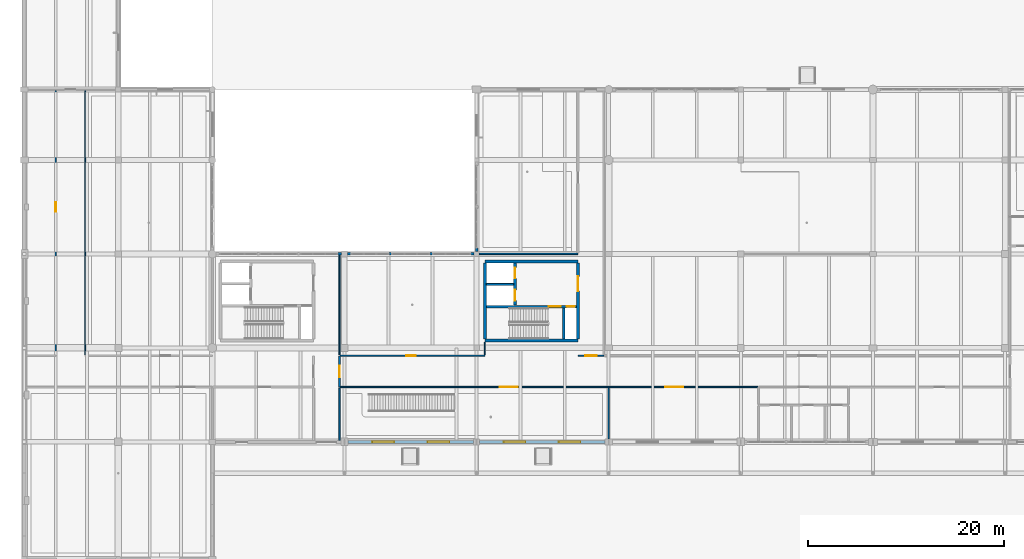
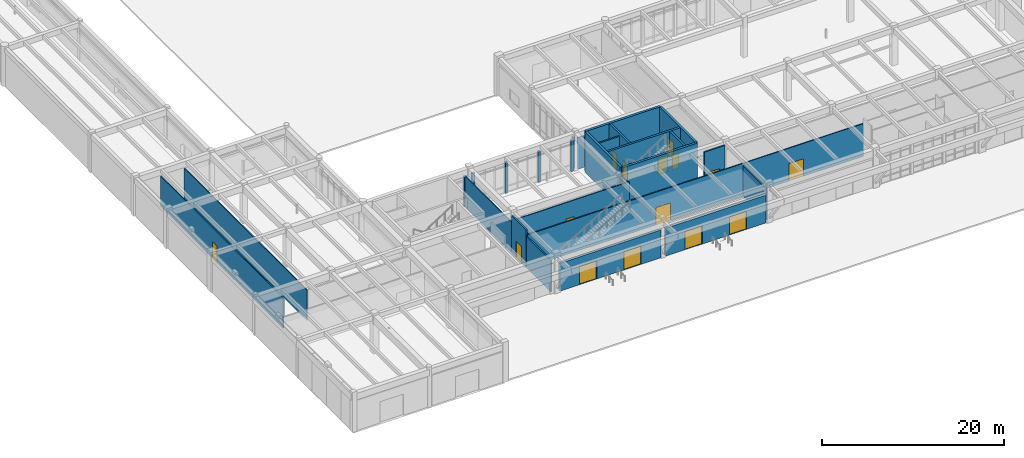
# One storey, part 108 of 138: 27 walls, 15 doors, 15 openings.
"""IFC4 building model written with IfcOpenShell, lengths in metres."""

from ifc_helpers import new_model, si_unit, direction, frame, frame_2d, origin, place, context, subcontext, project, spatial, rectangle, extrude, material, layer, layer_set, type_object, element, fill, save


model = new_model("IFC4")

# Units and contexts
model_context = context("Model", 3, precision=1e-05, world=origin(), true_north=direction((0.0, 1.0)))
body_context = subcontext(model_context, "Body", "Model", "MODEL_VIEW")
ifc_project = project(units=[si_unit("LENGTHUNIT", "METRE"), si_unit("AREAUNIT", "SQUARE_METRE"), si_unit("VOLUMEUNIT", "CUBIC_METRE"), si_unit("PLANEANGLEUNIT", "RADIAN"), si_unit("MASSUNIT", "GRAM", prefix="KILO")], contexts=[model_context])

# Site, building, storey
site_placement = place(None, origin())
site = spatial("IfcSite", under=ifc_project, at=site_placement, CompositionType="ELEMENT")
building_placement = place(site_placement, origin())
building = spatial("IfcBuilding", under=site, at=building_placement, Name="Fikremerkos Civic Library", CompositionType="ELEMENT")
storey_placement = place(building_placement, origin())
storey = spatial("IfcBuildingStorey", under=building, at=storey_placement, Name="L00", CompositionType="ELEMENT", Elevation=0.0)

# Walls
ifc_material_1 = material(Name="Concrete C40/50", Category="concrete")
ifc_layer_1 = layer(ifc_material_1, 0.300048828125, Name="Concrete C40/50")
ifc_layer_set_1 = layer_set([ifc_layer_1], Name="Concrete C40/50")
wall_type_1 = type_object("IfcWallType", Name="Core shear wall CSW-01 300", PredefinedType="SHEAR", material=ifc_layer_set_1)
for number, where, z_axis, x_axis, name in (
    (1, (56.550048828125, 22.35009765625, 0.0), (0.0, 0.0, 1.0), (-1.0, 0.0, 0.0), "Core K3 south shear wall L00"),
    (2, (47.050048828125, 30.449951171875, 0.0), (0.0, 0.0, 1.0), (1.0, 0.0, 0.0), "Core K3 north shear wall L00"),
):
    element("IfcWall", number, at=place(storey_placement, frame(where, z_axis=z_axis, x_axis=x_axis)), inside=storey, type_object=wall_type_1, Name=name, PredefinedType="SHEAR", context=body_context, shape_type="SweptSolid", body=[
        extrude(rectangle(XDim=9.5, YDim=0.300048828125, at=frame_2d((4.75, 0.0))), origin(), (0.0, 0.0, 1.0), 5.39990234375),
    ])
wall_1_placement = place(storey_placement, frame((47.050048828125, 22.501953125, 0.0), z_axis=(0.0, 0.0, 1.0), x_axis=(0.0, 1.0, 0.0)))
element("IfcWall", 3, at=wall_1_placement, inside=storey, type_object=wall_type_1, Name="Core K3 west shear wall L00", PredefinedType="SHEAR", context=body_context, shape_type="SweptSolid", body=[
    extrude(rectangle(XDim=7.796142578125, YDim=0.300048828125, at=frame_2d((3.89794921875, 0.0))), origin(), (0.0, 0.0, 1.0), 5.39990234375),
])

# Wall, opening, door
wall_2_placement = place(storey_placement, frame((56.550048828125, 30.298095703125, 0.0), z_axis=(0.0, 0.0, 1.0), x_axis=(0.0, -1.0, 0.0)))
wall_2 = element("IfcWall", 4, at=wall_2_placement, inside=storey, type_object=wall_type_1, Name="Core K3 east shear wall L00", PredefinedType="SHEAR", context=body_context, shape_type="SweptSolid", body=[
    extrude(rectangle(XDim=7.796142578125, YDim=0.300048828125, at=frame_2d((3.89794921875, 0.0))), origin(), (0.0, 0.0, 1.0), 5.39990234375),
])
opening_1_placement = place(wall_2_placement, frame((1.39794921875, 0.0, 0.0)))
opening_1 = element("IfcOpeningElement", 5, at=opening_1_placement, cuts=wall_2, Name="Opening D083", PredefinedType="OPENING", context=body_context, shape_type="SweptSolid", body=[
    extrude(rectangle(XDim=1.5, YDim=2.25, at=frame_2d((0.75, 1.125))), frame((0.0, 0.159912109375, 0.0), z_axis=(0.0, -1.0, 0.0), x_axis=(1.0, 0.0, 0.0)), (0.0, 0.0, 1.0), 0.320068359375),
])
ifc_material_2 = material(Name="Hardwood timber and acoustic glass", Category="wood")
door_type_1 = type_object("IfcDoorType", Name="Pedestrian door DT-05 1500x2250", OperationType="NOTDEFINED", PredefinedType="DOOR", material=ifc_material_2)
door_1_placement = place(opening_1_placement, origin())
door_1 = element("IfcDoor", 6, at=door_1_placement, inside=storey, type_object=door_type_1, Name="Core K3 lobby fire door D083 L00", OperationType="SINGLE_SWING_RIGHT", OverallHeight=2.25, OverallWidth=1.5, PredefinedType="DOOR", context=body_context, shape_type="SweptSolid", body=[
    extrude(rectangle(XDim=1.5, YDim=2.25, at=frame_2d((0.75, 1.125))), frame((0.0, 0.032470703125, 0.0), z_axis=(0.0, -1.0, 0.0), x_axis=(1.0, 0.0, 0.0)), (0.0, 0.0, 1.0), 0.06494140625),
])
fill(opening_1, door_1)

# Wall, openings, doors
ifc_layer_2 = layer(ifc_material_1, 0.260009765625, Name="Concrete C40/50")
ifc_layer_set_2 = layer_set([ifc_layer_2], Name="Concrete C40/50")
wall_type_2 = type_object("IfcWallType", Name="Core shear wall CSW-02 260", PredefinedType="SHEAR", material=ifc_layer_set_2)
wall_3_placement = place(storey_placement, frame((47.201904296875, 25.830078125, 0.0), z_axis=(0.0, 0.0, 1.0), x_axis=(1.0, 0.0, 0.0)))
wall_3 = element("IfcWall", 7, at=wall_3_placement, inside=storey, type_object=wall_type_2, Name="Core K3 stair compartment wall L00", PredefinedType="SHEAR", context=body_context, shape_type="SweptSolid", body=[
    extrude(rectangle(XDim=9.196044921875, YDim=0.260009765625, at=frame_2d((4.59814453125, 0.0))), origin(), (0.0, 0.0, 1.0), 5.39990234375),
])
opening_2_placement = place(wall_3_placement, frame((6.39794921875, 0.0, 0.0)))
opening_2 = element("IfcOpeningElement", 8, at=opening_2_placement, cuts=wall_3, Name="Opening D084", PredefinedType="OPENING", context=body_context, shape_type="SweptSolid", body=[
    extrude(rectangle(XDim=1.199951171875, YDim=2.199951171875, at=frame_2d((0.60009765625, 1.10009765625))), frame((0.0, 0.139892578125, 0.0), z_axis=(0.0, -1.0, 0.0), x_axis=(1.0, 0.0, 0.0)), (0.0, 0.0, 1.0), 0.280029296875),
])
opening_3_placement = place(wall_3_placement, frame((8.202880859375, 0.0, 0.0)))
opening_3 = element("IfcOpeningElement", 9, at=opening_3_placement, cuts=wall_3, Name="Opening D085", PredefinedType="OPENING", context=body_context, shape_type="SweptSolid", body=[
    extrude(rectangle(XDim=0.85009765625, YDim=2.050048828125, at=frame_2d((0.425048828125, 1.02490234375))), frame((0.0, 0.139892578125, 0.0), z_axis=(0.0, -1.0, 0.0), x_axis=(1.0, 0.0, 0.0)), (0.0, 0.0, 1.0), 0.280029296875),
])
door_type_2 = type_object("IfcDoorType", Name="Pedestrian door DT-06 1200x2200", OperationType="NOTDEFINED", PredefinedType="DOOR", material=ifc_material_2)
door_2_placement = place(opening_2_placement, origin())
door_2 = element("IfcDoor", 10, at=door_2_placement, inside=storey, type_object=door_type_2, Name="Core K3 stair fire door D084 L00", OperationType="SINGLE_SWING_RIGHT", OverallHeight=2.199951171875, OverallWidth=1.199951171875, PredefinedType="DOOR", context=body_context, shape_type="SweptSolid", body=[
    extrude(rectangle(XDim=1.199951171875, YDim=2.199951171875, at=frame_2d((0.60009765625, 1.10009765625))), frame((0.0, 0.032470703125, 0.0), z_axis=(0.0, -1.0, 0.0), x_axis=(1.0, 0.0, 0.0)), (0.0, 0.0, 1.0), 0.06494140625),
])
fill(opening_2, door_2)
door_type_3 = type_object("IfcDoorType", Name="Pedestrian door DT-08 850x2050", OperationType="NOTDEFINED", PredefinedType="DOOR", material=ifc_material_2)
door_3_placement = place(opening_3_placement, origin())
door_3 = element("IfcDoor", 11, at=door_3_placement, inside=storey, type_object=door_type_3, Name="Core K3 riser access fire door D085 L00", OperationType="SINGLE_SWING_LEFT", OverallHeight=2.050048828125, OverallWidth=0.85009765625, PredefinedType="DOOR", context=body_context, shape_type="SweptSolid", body=[
    extrude(rectangle(XDim=0.85009765625, YDim=2.050048828125, at=frame_2d((0.425048828125, 1.02490234375))), frame((0.0, 0.032470703125, 0.0), z_axis=(0.0, -1.0, 0.0), x_axis=(1.0, 0.0, 0.0)), (0.0, 0.0, 1.0), 0.06494140625),
])
fill(opening_3, door_3)

# Wall
wall_4_placement = place(storey_placement, frame((55.1298828125, 22.501953125, 0.0), z_axis=(0.0, 0.0, 1.0), x_axis=(0.0, 1.0, 0.0)))
element("IfcWall", 12, at=wall_4_placement, inside=storey, type_object=wall_type_2, Name="Core K3 stair-riser shear wall L00", PredefinedType="SHEAR", context=body_context, shape_type="SweptSolid", body=[
    extrude(rectangle(XDim=3.196044921875, YDim=0.260009765625, at=frame_2d((1.59814453125, 0.0))), origin(), (0.0, 0.0, 1.0), 5.39990234375),
])

# Wall, openings, doors
wall_5_placement = place(storey_placement, frame((50.1298828125, 25.9619140625, 0.0), z_axis=(0.0, 0.0, 1.0), x_axis=(0.0, 1.0, 0.0)))
wall_5 = element("IfcWall", 13, at=wall_5_placement, inside=storey, type_object=wall_type_2, Name="Core K3 lift shaft front wall L00", PredefinedType="SHEAR", context=body_context, shape_type="SweptSolid", body=[
    extrude(rectangle(XDim=4.336181640625, YDim=0.260009765625, at=frame_2d((2.16796875, 0.0))), origin(), (0.0, 0.0, 1.0), 5.39990234375),
])
opening_4_placement = place(wall_5_placement, frame((0.468017578125, 0.0, 0.0)))
opening_4 = element("IfcOpeningElement", 14, at=opening_4_placement, cuts=wall_5, Name="Opening LD37", PredefinedType="OPENING", context=body_context, shape_type="SweptSolid", body=[
    extrude(rectangle(XDim=1.10009765625, YDim=2.14990234375, at=frame_2d((0.550048828125, 1.074951171875))), frame((0.0, 0.139892578125, 0.0), z_axis=(0.0, -1.0, 0.0), x_axis=(1.0, 0.0, 0.0)), (0.0, 0.0, 1.0), 0.280029296875),
])
opening_5_placement = place(wall_5_placement, frame((2.738037109375, 0.0, 0.0)))
opening_5 = element("IfcOpeningElement", 15, at=opening_5_placement, cuts=wall_5, Name="Opening LD38", PredefinedType="OPENING", context=body_context, shape_type="SweptSolid", body=[
    extrude(rectangle(XDim=1.10009765625, YDim=2.14990234375, at=frame_2d((0.550048828125, 1.074951171875))), frame((0.0, 0.139892578125, 0.0), z_axis=(0.0, -1.0, 0.0), x_axis=(1.0, 0.0, 0.0)), (0.0, 0.0, 1.0), 0.280029296875),
])
ifc_material_3 = material(Name="Brushed stainless steel", Category="steel")
door_type_4 = type_object("IfcDoorType", Name="Lift landing door LDT-01 1100x2150", OperationType="NOTDEFINED", PredefinedType="DOOR", material=ifc_material_3)
door_4_placement = place(opening_4_placement, origin())
door_4 = element("IfcDoor", 16, at=door_4_placement, inside=storey, type_object=door_type_4, Name="Lift LF05 sliding landing door LD37 L00", OperationType="SLIDING_TO_LEFT", OverallHeight=2.14990234375, OverallWidth=1.10009765625, PredefinedType="DOOR", context=body_context, shape_type="SweptSolid", body=[
    extrude(rectangle(XDim=1.10009765625, YDim=2.14990234375, at=frame_2d((0.550048828125, 1.074951171875))), frame((0.0, 0.032470703125, 0.0), z_axis=(0.0, -1.0, 0.0), x_axis=(1.0, 0.0, 0.0)), (0.0, 0.0, 1.0), 0.06494140625),
])
fill(opening_4, door_4)
door_5_placement = place(opening_5_placement, origin())
door_5 = element("IfcDoor", 17, at=door_5_placement, inside=storey, type_object=door_type_4, Name="Lift LF06 sliding landing door LD38 L00", OperationType="SLIDING_TO_LEFT", OverallHeight=2.14990234375, OverallWidth=1.10009765625, PredefinedType="DOOR", context=body_context, shape_type="SweptSolid", body=[
    extrude(rectangle(XDim=1.10009765625, YDim=2.14990234375, at=frame_2d((0.550048828125, 1.074951171875))), frame((0.0, 0.032470703125, 0.0), z_axis=(0.0, -1.0, 0.0), x_axis=(1.0, 0.0, 0.0)), (0.0, 0.0, 1.0), 0.06494140625),
])
fill(opening_5, door_5)

ifc_material_4 = material(Name="Precast concrete C40/50", Category="concrete")
ifc_layer_3 = layer(ifc_material_4, 0.320068359375, Name="Precast concrete C40/50")
ifc_layer_set_3 = layer_set([ifc_layer_3], Name="Precast concrete C40/50")
wall_type_3 = type_object("IfcWallType", Name="Exterior solid wall ESW-02 320", PredefinedType="SOLIDWALL", material=ifc_layer_set_3)
wall_6_placement = place(storey_placement, frame((59.302001953125, 12.0, 0.0), z_axis=(0.0, 0.0, 1.0), x_axis=(-1.0, 0.0, 0.0)))
wall_6 = element("IfcWall", 18, at=wall_6_placement, inside=storey, type_object=wall_type_3, Name="Exterior ground wall ESW-02 #174", PredefinedType="SOLIDWALL", context=body_context, shape_type="SweptSolid", body=[
    extrude(rectangle(XDim=12.803955078125, YDim=0.320068359375, at=frame_2d((6.40185546875, 0.0))), origin(), (0.0, 0.0, 1.0), 3.739990234375),
])
opening_6_placement = place(wall_6_placement, frame((2.485107421875, 0.0, 0.0)))
opening_6 = element("IfcOpeningElement", 19, at=opening_6_placement, cuts=wall_6, Name="Opening D007", PredefinedType="OPENING", context=body_context, shape_type="SweptSolid", body=[
    extrude(rectangle(XDim=2.199951171875, YDim=2.449951171875, at=frame_2d((1.10009765625, 1.22509765625))), frame((0.0, 0.169921875, 0.0), z_axis=(0.0, -1.0, 0.0), x_axis=(1.0, 0.0, 0.0)), (0.0, 0.0, 1.0), 0.340087890625),
])
opening_7_placement = place(wall_6_placement, frame((8.118896484375, 0.0, 0.0)))
opening_7 = element("IfcOpeningElement", 20, at=opening_7_placement, cuts=wall_6, Name="Opening D008", PredefinedType="OPENING", context=body_context, shape_type="SweptSolid", body=[
    extrude(rectangle(XDim=2.199951171875, YDim=2.449951171875, at=frame_2d((1.10009765625, 1.22509765625))), frame((0.0, 0.169921875, 0.0), z_axis=(0.0, -1.0, 0.0), x_axis=(1.0, 0.0, 0.0)), (0.0, 0.0, 1.0), 0.340087890625),
])
ifc_material_5 = material(Name="Thermally broken bronze aluminium and glass", Category="aluminium")
door_type_5 = type_object("IfcDoorType", Name="Pedestrian door DT-10 2200x2450", OperationType="NOTDEFINED", PredefinedType="DOOR", material=ifc_material_5)
door_6_placement = place(opening_6_placement, origin())
door_6 = element("IfcDoor", 21, at=door_6_placement, inside=storey, type_object=door_type_5, Name="Ground final exit pedestrian door D007", OperationType="SINGLE_SWING_LEFT", OverallHeight=2.449951171875, OverallWidth=2.199951171875, PredefinedType="DOOR", context=body_context, shape_type="SweptSolid", body=[
    extrude(rectangle(XDim=2.199951171875, YDim=2.449951171875, at=frame_2d((1.10009765625, 1.22509765625))), frame((0.0, 0.032470703125, 0.0), z_axis=(0.0, -1.0, 0.0), x_axis=(1.0, 0.0, 0.0)), (0.0, 0.0, 1.0), 0.06494140625),
])
fill(opening_6, door_6)
door_7_placement = place(opening_7_placement, origin())
door_7 = element("IfcDoor", 22, at=door_7_placement, inside=storey, type_object=door_type_5, Name="Ground final exit pedestrian door D008", OperationType="SINGLE_SWING_RIGHT", OverallHeight=2.449951171875, OverallWidth=2.199951171875, PredefinedType="DOOR", context=body_context, shape_type="SweptSolid", body=[
    extrude(rectangle(XDim=2.199951171875, YDim=2.449951171875, at=frame_2d((1.10009765625, 1.22509765625))), frame((0.0, 0.032470703125, 0.0), z_axis=(0.0, -1.0, 0.0), x_axis=(1.0, 0.0, 0.0)), (0.0, 0.0, 1.0), 0.06494140625),
])
fill(opening_7, door_7)

wall_7_placement = place(storey_placement, frame((45.902099609375, 12.0, 0.0), z_axis=(0.0, 0.0, 1.0), x_axis=(-1.0, 0.0, 0.0)))
wall_7 = element("IfcWall", 23, at=wall_7_placement, inside=storey, type_object=wall_type_3, Name="Exterior ground wall ESW-02 #175", PredefinedType="SOLIDWALL", context=body_context, shape_type="SweptSolid", body=[
    extrude(rectangle(XDim=12.8291015625, YDim=0.320068359375, at=frame_2d((6.41455078125, 0.0))), origin(), (0.0, 0.0, 1.0), 3.739990234375),
])
opening_8_placement = place(wall_7_placement, frame((2.4921875, 0.0, 0.0)))
opening_8 = element("IfcOpeningElement", 24, at=opening_8_placement, cuts=wall_7, Name="Opening D009", PredefinedType="OPENING", context=body_context, shape_type="SweptSolid", body=[
    extrude(rectangle(XDim=2.199951171875, YDim=2.449951171875, at=frame_2d((1.10009765625, 1.22509765625))), frame((0.0, 0.169921875, 0.0), z_axis=(0.0, -1.0, 0.0), x_axis=(1.0, 0.0, 0.0)), (0.0, 0.0, 1.0), 0.340087890625),
])
opening_9_placement = place(wall_7_placement, frame((8.136962890625, 0.0, 0.0)))
opening_9 = element("IfcOpeningElement", 25, at=opening_9_placement, cuts=wall_7, Name="Opening D010", PredefinedType="OPENING", context=body_context, shape_type="SweptSolid", body=[
    extrude(rectangle(XDim=2.199951171875, YDim=2.449951171875, at=frame_2d((1.10009765625, 1.22509765625))), frame((0.0, 0.169921875, 0.0), z_axis=(0.0, -1.0, 0.0), x_axis=(1.0, 0.0, 0.0)), (0.0, 0.0, 1.0), 0.340087890625),
])
door_8_placement = place(opening_8_placement, origin())
door_8 = element("IfcDoor", 26, at=door_8_placement, inside=storey, type_object=door_type_5, Name="Ground final exit pedestrian door D009", OperationType="SINGLE_SWING_LEFT", OverallHeight=2.449951171875, OverallWidth=2.199951171875, PredefinedType="DOOR", context=body_context, shape_type="SweptSolid", body=[
    extrude(rectangle(XDim=2.199951171875, YDim=2.449951171875, at=frame_2d((1.10009765625, 1.22509765625))), frame((0.0, 0.032470703125, 0.0), z_axis=(0.0, -1.0, 0.0), x_axis=(1.0, 0.0, 0.0)), (0.0, 0.0, 1.0), 0.06494140625),
])
fill(opening_8, door_8)
door_9_placement = place(opening_9_placement, origin())
door_9 = element("IfcDoor", 27, at=door_9_placement, inside=storey, type_object=door_type_5, Name="Ground final exit pedestrian door D010", OperationType="SINGLE_SWING_RIGHT", OverallHeight=2.449951171875, OverallWidth=2.199951171875, PredefinedType="DOOR", context=body_context, shape_type="SweptSolid", body=[
    extrude(rectangle(XDim=2.199951171875, YDim=2.449951171875, at=frame_2d((1.10009765625, 1.22509765625))), frame((0.0, 0.032470703125, 0.0), z_axis=(0.0, -1.0, 0.0), x_axis=(1.0, 0.0, 0.0)), (0.0, 0.0, 1.0), 0.06494140625),
])
fill(opening_9, door_9)

# Walls
ifc_layer_4 = layer(ifc_material_4, 0.25, Name="Precast concrete C40/50")
ifc_layer_set_4 = layer_set([ifc_layer_4], Name="Precast concrete C40/50")
wall_type_4 = type_object("IfcWallType", Name="Exterior solid wall ESW-05 250", PredefinedType="SOLIDWALL", material=ifc_layer_set_4)
wall_8_placement = place(storey_placement, frame((32.027099609375, 31.199951171875, 0.0), z_axis=(0.0, 0.0, 1.0), x_axis=(1.0, 0.0, 0.0)))
element("IfcWall", 28, at=wall_8_placement, inside=storey, type_object=wall_type_4, Name="Exterior facade pier ESW-05 #206", PredefinedType="SOLIDWALL", context=body_context, shape_type="SweptSolid", body=[
    extrude(rectangle(XDim=0.349853515625, YDim=0.25, at=frame_2d((0.1748046875, 0.0))), origin(), (0.0, 0.0, 1.0), 4.070068359375),
])
wall_9_placement = place(storey_placement, frame((33.02294921875, 31.199951171875, 0.0), z_axis=(0.0, 0.0, 1.0), x_axis=(1.0, 0.0, 0.0)))
element("IfcWall", 29, at=wall_9_placement, inside=storey, type_object=wall_type_4, Name="Exterior facade pier ESW-05 #209", PredefinedType="SOLIDWALL", context=body_context, shape_type="SweptSolid", body=[
    extrude(rectangle(XDim=0.35009765625, YDim=0.25, at=frame_2d((0.175048828125, 0.0))), origin(), (0.0, 0.0, 1.0), 4.169921875),
])
wall_10_placement = place(storey_placement, frame((45.60205078125, 31.199951171875, 0.0), z_axis=(0.0, 0.0, 1.0), x_axis=(1.0, 0.0, 0.0)))
element("IfcWall", 30, at=wall_10_placement, inside=storey, type_object=wall_type_4, Name="Exterior facade pier ESW-05 #210", PredefinedType="SOLIDWALL", context=body_context, shape_type="SweptSolid", body=[
    extrude(rectangle(XDim=0.349853515625, YDim=0.25, at=frame_2d((0.1748046875, 0.0))), origin(), (0.0, 0.0, 1.0), 4.169921875),
])
wall_11_placement = place(storey_placement, frame((37.249267578125, 31.199951171875, 0.0), z_axis=(0.0, 0.0, 1.0), x_axis=(1.0, 0.0, 0.0)))
element("IfcWall", 31, at=wall_11_placement, inside=storey, type_object=wall_type_4, Name="Exterior facade mullion pier ESW-05 #211", PredefinedType="SOLIDWALL", context=body_context, shape_type="SweptSolid", body=[
    extrude(rectangle(XDim=0.300048828125, YDim=0.25, at=frame_2d((0.14990234375, 0.0))), origin(), (0.0, 0.0, 1.0), 4.169921875),
])
wall_12_placement = place(storey_placement, frame((41.42578125, 31.199951171875, 0.0), z_axis=(0.0, 0.0, 1.0), x_axis=(1.0, 0.0, 0.0)))
element("IfcWall", 32, at=wall_12_placement, inside=storey, type_object=wall_type_4, Name="Exterior facade mullion pier ESW-05 #212", PredefinedType="SOLIDWALL", context=body_context, shape_type="SweptSolid", body=[
    extrude(rectangle(XDim=0.2998046875, YDim=0.25, at=frame_2d((0.14990234375, 0.0))), origin(), (0.0, 0.0, 1.0), 4.169921875),
])
wall_13_placement = place(storey_placement, frame((46.199951171875, 31.447998046875, 0.0), z_axis=(0.0, 0.0, 1.0), x_axis=(0.0, 1.0, 0.0)))
element("IfcWall", 33, at=wall_13_placement, inside=storey, type_object=wall_type_4, Name="Exterior facade pier ESW-05 #213", PredefinedType="SOLIDWALL", context=body_context, shape_type="SweptSolid", body=[
    extrude(rectangle(XDim=0.35009765625, YDim=0.25, at=frame_2d((0.175048828125, 0.0))), origin(), (0.0, 0.0, 1.0), 4.219970703125),
])

# Wall, opening, door
ifc_material_6 = material(Name="Acoustic concrete blockwork", Category="masonry")
ifc_layer_5 = layer(ifc_material_6, 0.18994140625, Name="Acoustic concrete blockwork")
ifc_layer_set_5 = layer_set([ifc_layer_5], Name="Acoustic concrete blockwork")
wall_type_5 = type_object("IfcWallType", Name="Interior partition wall IPW-01 190", PredefinedType="PARTITIONING", material=ifc_layer_set_5)
wall_14_placement = place(storey_placement, frame((56.550048828125, 20.800048828125, 0.0), z_axis=(0.0, 0.0, 1.0), x_axis=(1.0, 0.0, 0.0)))
wall_14 = element("IfcWall", 34, at=wall_14_placement, inside=storey, type_object=wall_type_5, Name="Interior wall IPW-01 L00 #82", PredefinedType="PARTITIONING", context=body_context, shape_type="SweptSolid", body=[
    extrude(rectangle(XDim=2.64990234375, YDim=0.18994140625, at=frame_2d((1.324951171875, 0.0))), origin(), (0.0, 0.0, 1.0), 5.080078125),
])
opening_10_placement = place(wall_14_placement, frame((0.72998046875, 0.0, 0.0)))
opening_10 = element("IfcOpeningElement", 35, at=opening_10_placement, cuts=wall_14, Name="Opening D193", PredefinedType="OPENING", context=body_context, shape_type="SweptSolid", body=[
    extrude(rectangle(XDim=1.199951171875, YDim=2.199951171875, at=frame_2d((0.60009765625, 1.10009765625))), frame((0.0, 0.10498046875, 0.0), z_axis=(0.0, -1.0, 0.0), x_axis=(1.0, 0.0, 0.0)), (0.0, 0.0, 1.0), 0.2099609375),
])
door_10_placement = place(opening_10_placement, origin())
door_10 = element("IfcDoor", 36, at=door_10_placement, inside=storey, type_object=door_type_2, Name="Interior door D193 L00", OperationType="SINGLE_SWING_RIGHT", OverallHeight=2.199951171875, OverallWidth=1.199951171875, PredefinedType="DOOR", context=body_context, shape_type="SweptSolid", body=[
    extrude(rectangle(XDim=1.199951171875, YDim=2.199951171875, at=frame_2d((0.60009765625, 1.10009765625))), frame((0.0, 0.032470703125, 0.0), z_axis=(0.0, -1.0, 0.0), x_axis=(1.0, 0.0, 0.0)), (0.0, 0.0, 1.0), 0.06494140625),
])
fill(opening_10, door_10)

wall_15_placement = place(storey_placement, frame((32.199951171875, 17.60009765625, 0.0), z_axis=(0.0, 0.0, 1.0), x_axis=(0.0, 1.0, 0.0)))
wall_15 = element("IfcWall", 37, at=wall_15_placement, inside=storey, type_object=wall_type_5, Name="Interior wall IPW-01 L00 #90", PredefinedType="PARTITIONING", context=body_context, shape_type="SweptSolid", body=[
    extrude(rectangle(XDim=3.199951171875, YDim=0.18994140625, at=frame_2d((1.60009765625, 0.0))), origin(), (0.0, 0.0, 1.0), 5.080078125),
])
opening_11_placement = place(wall_15_placement, frame((1.0, 0.0, 0.0)))
opening_11 = element("IfcOpeningElement", 38, at=opening_11_placement, cuts=wall_15, Name="Opening D189", PredefinedType="OPENING", context=body_context, shape_type="SweptSolid", body=[
    extrude(rectangle(XDim=1.199951171875, YDim=2.199951171875, at=frame_2d((0.60009765625, 1.10009765625))), frame((0.0, 0.10498046875, 0.0), z_axis=(0.0, -1.0, 0.0), x_axis=(1.0, 0.0, 0.0)), (0.0, 0.0, 1.0), 0.2099609375),
])
door_11_placement = place(opening_11_placement, origin())
door_11 = element("IfcDoor", 39, at=door_11_placement, inside=storey, type_object=door_type_2, Name="Interior door D189 L00", OperationType="SINGLE_SWING_LEFT", OverallHeight=2.199951171875, OverallWidth=1.199951171875, PredefinedType="DOOR", context=body_context, shape_type="SweptSolid", body=[
    extrude(rectangle(XDim=1.199951171875, YDim=2.199951171875, at=frame_2d((0.60009765625, 1.10009765625))), frame((0.0, 0.032470703125, 0.0), z_axis=(0.0, -1.0, 0.0), x_axis=(1.0, 0.0, 0.0)), (0.0, 0.0, 1.0), 0.06494140625),
])
fill(opening_11, door_11)

# Walls
ifc_material_7 = material(Name="Acoustic gypsum stud partition")
ifc_layer_6 = layer(ifc_material_7, 0.14990234375, Name="Acoustic gypsum stud partition")
ifc_layer_set_6 = layer_set([ifc_layer_6], Name="Acoustic gypsum stud partition")
wall_type_6 = type_object("IfcWallType", Name="Interior partition wall IPW-02 150", PredefinedType="PARTITIONING", material=ifc_layer_set_6)
wall_16_placement = place(storey_placement, frame((46.452880859375, 31.199951171875, 0.0), z_axis=(0.0, 0.0, 1.0), x_axis=(1.0, 0.0, 0.0)))
element("IfcWall", 40, at=wall_16_placement, inside=storey, type_object=wall_type_6, Name="Interior wall IPW-02 L00 #101", PredefinedType="PARTITIONING", context=body_context, shape_type="SweptSolid", body=[
    extrude(rectangle(XDim=10.09716796875, YDim=0.14990234375, at=frame_2d((5.048583984375, 0.0))), origin(), (0.0, 0.0, 1.0), 4.219970703125),
])
wall_17_placement = place(storey_placement, frame((32.199951171875, 12.1630859375, 0.0), z_axis=(0.0, 0.0, 1.0), x_axis=(0.0, 1.0, 0.0)))
element("IfcWall", 41, at=wall_17_placement, inside=storey, type_object=wall_type_6, Name="Interior wall IPW-02 L00 #121", PredefinedType="PARTITIONING", context=body_context, shape_type="SweptSolid", body=[
    extrude(rectangle(XDim=5.35693359375, YDim=0.14990234375, at=frame_2d((2.678466796875, 0.0))), origin(), (0.0, 0.0, 1.0), 4.219970703125),
])

# Wall, openings, doors
ifc_material_8 = material(Name="Gypsum metal stud partition")
ifc_layer_7 = layer(ifc_material_8, 0.1298828125, Name="Gypsum metal stud partition")
ifc_layer_set_7 = layer_set([ifc_layer_7], Name="Gypsum metal stud partition")
wall_type_7 = type_object("IfcWallType", Name="Interior partition wall IPW-03 130", PredefinedType="PARTITIONING", material=ifc_layer_set_7)
wall_18_placement = place(storey_placement, frame((32.25, 17.60009765625, 0.0), z_axis=(0.0, 0.0, 1.0), x_axis=(1.0, 0.0, 0.0)))
wall_18 = element("IfcWall", 42, at=wall_18_placement, inside=storey, type_object=wall_type_7, Name="Interior wall IPW-03 L00 #102", PredefinedType="PARTITIONING", context=body_context, shape_type="SweptSolid", body=[
    extrude(rectangle(XDim=42.699951171875, YDim=0.1298828125, at=frame_2d((21.35009765625, 0.0))), origin(), (0.0, 0.0, 1.0), 4.419921875),
])
opening_12_placement = place(wall_18_placement, frame((16.324951171875, 0.0, 0.0)))
opening_12 = element("IfcOpeningElement", 43, at=opening_12_placement, cuts=wall_18, Name="Opening D165", PredefinedType="OPENING", context=body_context, shape_type="SweptSolid", body=[
    extrude(rectangle(XDim=1.85009765625, YDim=2.35009765625, at=frame_2d((0.925048828125, 1.175048828125))), frame((0.0, 0.074951171875, 0.0), z_axis=(0.0, -1.0, 0.0), x_axis=(1.0, 0.0, 0.0)), (0.0, 0.0, 1.0), 0.14990234375),
])
opening_13_placement = place(wall_18_placement, frame((33.22509765625, 0.0, 0.0)))
opening_13 = element("IfcOpeningElement", 44, at=opening_13_placement, cuts=wall_18, Name="Opening D167", PredefinedType="OPENING", context=body_context, shape_type="SweptSolid", body=[
    extrude(rectangle(XDim=1.85009765625, YDim=2.35009765625, at=frame_2d((0.925048828125, 1.175048828125))), frame((0.0, 0.074951171875, 0.0), z_axis=(0.0, -1.0, 0.0), x_axis=(1.0, 0.0, 0.0)), (0.0, 0.0, 1.0), 0.14990234375),
])
door_type_6 = type_object("IfcDoorType", Name="Pedestrian door DT-09 1850x2350", OperationType="NOTDEFINED", PredefinedType="DOOR", material=ifc_material_2)
door_12_placement = place(opening_12_placement, origin())
door_12 = element("IfcDoor", 45, at=door_12_placement, inside=storey, type_object=door_type_6, Name="Interior door D165 L00", OperationType="SINGLE_SWING_RIGHT", OverallHeight=2.35009765625, OverallWidth=1.85009765625, PredefinedType="DOOR", context=body_context, shape_type="SweptSolid", body=[
    extrude(rectangle(XDim=1.85009765625, YDim=2.35009765625, at=frame_2d((0.925048828125, 1.175048828125))), frame((0.0, 0.032470703125, 0.0), z_axis=(0.0, -1.0, 0.0), x_axis=(1.0, 0.0, 0.0)), (0.0, 0.0, 1.0), 0.06494140625),
])
fill(opening_12, door_12)
door_13_placement = place(opening_13_placement, origin())
door_13 = element("IfcDoor", 46, at=door_13_placement, inside=storey, type_object=door_type_6, Name="Interior door D167 L00", OperationType="SINGLE_SWING_RIGHT", OverallHeight=2.35009765625, OverallWidth=1.85009765625, PredefinedType="DOOR", context=body_context, shape_type="SweptSolid", body=[
    extrude(rectangle(XDim=1.85009765625, YDim=2.35009765625, at=frame_2d((0.925048828125, 1.175048828125))), frame((0.0, 0.032470703125, 0.0), z_axis=(0.0, -1.0, 0.0), x_axis=(1.0, 0.0, 0.0)), (0.0, 0.0, 1.0), 0.06494140625),
])
fill(opening_13, door_13)

# Wall, opening, door
wall_19_placement = place(storey_placement, frame((3.199951171875, 20.905029296875, 0.0), z_axis=(0.0, 0.0, 1.0), x_axis=(0.0, 1.0, 0.0)))
wall_19 = element("IfcWall", 47, at=wall_19_placement, inside=storey, type_object=wall_type_7, Name="Interior wall IPW-03 L00 #118", PredefinedType="PARTITIONING", context=body_context, shape_type="SweptSolid", body=[
    extrude(rectangle(XDim=26.989990234375, YDim=0.1298828125, at=frame_2d((13.4951171875, 0.0))), origin(), (0.0, 0.0, 1.0), 4.090087890625),
])
opening_14_placement = place(wall_19_placement, frame((14.594970703125, 0.0, 0.0)))
opening_14 = element("IfcOpeningElement", 48, at=opening_14_placement, cuts=wall_19, Name="Opening D175", PredefinedType="OPENING", context=body_context, shape_type="SweptSolid", body=[
    extrude(rectangle(XDim=1.0, YDim=2.199951171875, at=frame_2d((0.5, 1.10009765625))), frame((0.0, 0.074951171875, 0.0), z_axis=(0.0, -1.0, 0.0), x_axis=(1.0, 0.0, 0.0)), (0.0, 0.0, 1.0), 0.14990234375),
])
door_type_7 = type_object("IfcDoorType", Name="Pedestrian door DT-01 1000x2200", OperationType="NOTDEFINED", PredefinedType="DOOR", material=ifc_material_2)
door_14_placement = place(opening_14_placement, origin())
door_14 = element("IfcDoor", 49, at=door_14_placement, inside=storey, type_object=door_type_7, Name="Interior door D175 L00", OperationType="SINGLE_SWING_LEFT", OverallHeight=2.199951171875, OverallWidth=1.0, PredefinedType="DOOR", context=body_context, shape_type="SweptSolid", body=[
    extrude(rectangle(XDim=1.0, YDim=2.199951171875, at=frame_2d((0.5, 1.10009765625))), frame((0.0, 0.032470703125, 0.0), z_axis=(0.0, -1.0, 0.0), x_axis=(1.0, 0.0, 0.0)), (0.0, 0.0, 1.0), 0.06494140625),
])
fill(opening_14, door_14)

# Walls
wall_20_placement = place(storey_placement, frame((32.199951171875, 20.8798828125, 0.0), z_axis=(0.0, 0.0, 1.0), x_axis=(0.0, 1.0, 0.0)))
element("IfcWall", 50, at=wall_20_placement, inside=storey, type_object=wall_type_7, Name="Interior wall IPW-03 L00 #122", PredefinedType="PARTITIONING", context=body_context, shape_type="SweptSolid", body=[
    extrude(rectangle(XDim=10.191162109375, YDim=0.1298828125, at=frame_2d((5.095703125, 0.0))), origin(), (0.0, 0.0, 1.0), 4.1201171875),
])
wall_21_placement = place(storey_placement, frame((59.699951171875, 12.302978515625, 0.0), z_axis=(0.0, 0.0, 1.0), x_axis=(0.0, 1.0, 0.0)))
element("IfcWall", 51, at=wall_21_placement, inside=storey, type_object=wall_type_7, Name="Interior wall IPW-03 L00 #126", PredefinedType="PARTITIONING", context=body_context, shape_type="SweptSolid", body=[
    extrude(rectangle(XDim=5.192138671875, YDim=0.1298828125, at=frame_2d((2.59619140625, 0.0))), origin(), (0.0, 0.0, 1.0), 4.1201171875),
])

# Wall, opening, door
ifc_material_9 = material(Name="Lightweight metal stud partition")
ifc_layer_8 = layer(ifc_material_9, 0.110107421875, Name="Lightweight metal stud partition")
ifc_layer_set_8 = layer_set([ifc_layer_8], Name="Lightweight metal stud partition")
wall_type_8 = type_object("IfcWallType", Name="Interior partition wall IPW-04 110", PredefinedType="PARTITIONING", material=ifc_layer_set_8)
wall_22_placement = place(storey_placement, frame((32.25, 20.800048828125, 0.0), z_axis=(0.0, 0.0, 1.0), x_axis=(1.0, 0.0, 0.0)))
wall_22 = element("IfcWall", 52, at=wall_22_placement, inside=storey, type_object=wall_type_8, Name="Interior wall IPW-04 L00 #103", PredefinedType="PARTITIONING", context=body_context, shape_type="SweptSolid", body=[
    extrude(rectangle(XDim=14.800048828125, YDim=0.110107421875, at=frame_2d((7.39990234375, 0.0))), origin(), (0.0, 0.0, 1.0), 4.419921875),
])
opening_15_placement = place(wall_22_placement, frame((6.75, 0.0, 0.0)))
opening_15 = element("IfcOpeningElement", 53, at=opening_15_placement, cuts=wall_22, Name="Opening D166", PredefinedType="OPENING", context=body_context, shape_type="SweptSolid", body=[
    extrude(rectangle(XDim=1.0, YDim=2.199951171875, at=frame_2d((0.5, 1.10009765625))), frame((0.0, 0.06494140625, 0.0), z_axis=(0.0, -1.0, 0.0), x_axis=(1.0, 0.0, 0.0)), (0.0, 0.0, 1.0), 0.130126953125),
])
door_15_placement = place(opening_15_placement, origin())
door_15 = element("IfcDoor", 54, at=door_15_placement, inside=storey, type_object=door_type_7, Name="Interior door D166 L00", OperationType="SINGLE_SWING_LEFT", OverallHeight=2.199951171875, OverallWidth=1.0, PredefinedType="DOOR", context=body_context, shape_type="SweptSolid", body=[
    extrude(rectangle(XDim=1.0, YDim=2.199951171875, at=frame_2d((0.5, 1.10009765625))), frame((0.0, 0.032470703125, 0.0), z_axis=(0.0, -1.0, 0.0), x_axis=(1.0, 0.0, 0.0)), (0.0, 0.0, 1.0), 0.06494140625),
])
fill(opening_15, door_15)

# Walls
wall_23_placement = place(storey_placement, frame((6.199951171875, 20.905029296875, 0.0), z_axis=(0.0, 0.0, 1.0), x_axis=(0.0, 1.0, 0.0)))
element("IfcWall", 55, at=wall_23_placement, inside=storey, type_object=wall_type_8, Name="Interior wall IPW-04 L00 #119", PredefinedType="PARTITIONING", context=body_context, shape_type="SweptSolid", body=[
    extrude(rectangle(XDim=26.989990234375, YDim=0.110107421875, at=frame_2d((13.4951171875, 0.0))), origin(), (0.0, 0.0, 1.0), 4.090087890625),
])
wall_24_placement = place(storey_placement, frame((47.050048828125, 20.905029296875, 0.0), z_axis=(0.0, 0.0, 1.0), x_axis=(0.0, 1.0, 0.0)))
element("IfcWall", 56, at=wall_24_placement, inside=storey, type_object=wall_type_8, Name="Interior wall IPW-04 L00 #123", PredefinedType="PARTITIONING", context=body_context, shape_type="SweptSolid", body=[
    extrude(rectangle(XDim=1.2919921875, YDim=0.110107421875, at=frame_2d((0.64599609375, 0.0))), origin(), (0.0, 0.0, 1.0), 4.219970703125),
])
ifc_material_10 = material(Name="Concrete C35/45", Category="concrete")
ifc_layer_9 = layer(ifc_material_10, 0.199951171875, Name="Concrete C35/45")
ifc_layer_set_9 = layer_set([ifc_layer_9], Name="Concrete C35/45")
wall_type_9 = type_object("IfcWallType", Name="Service duct wall SDW-01 200", PredefinedType="PLUMBINGWALL", material=ifc_layer_set_9)
wall_25_placement = place(storey_placement, frame((47.201904296875, 28.10009765625, 0.0), z_axis=(0.0, 0.0, 1.0), x_axis=(1.0, 0.0, 0.0)))
element("IfcWall", 57, at=wall_25_placement, inside=storey, type_object=wall_type_9, Name="Core K3 inter-lift shaft wall L00", PredefinedType="PLUMBINGWALL", context=body_context, shape_type="SweptSolid", body=[
    extrude(rectangle(XDim=2.796142578125, YDim=0.199951171875, at=frame_2d((1.39794921875, 0.0))), origin(), (0.0, 0.0, 1.0), 5.080078125),
])

save(model, "model.ifc")
